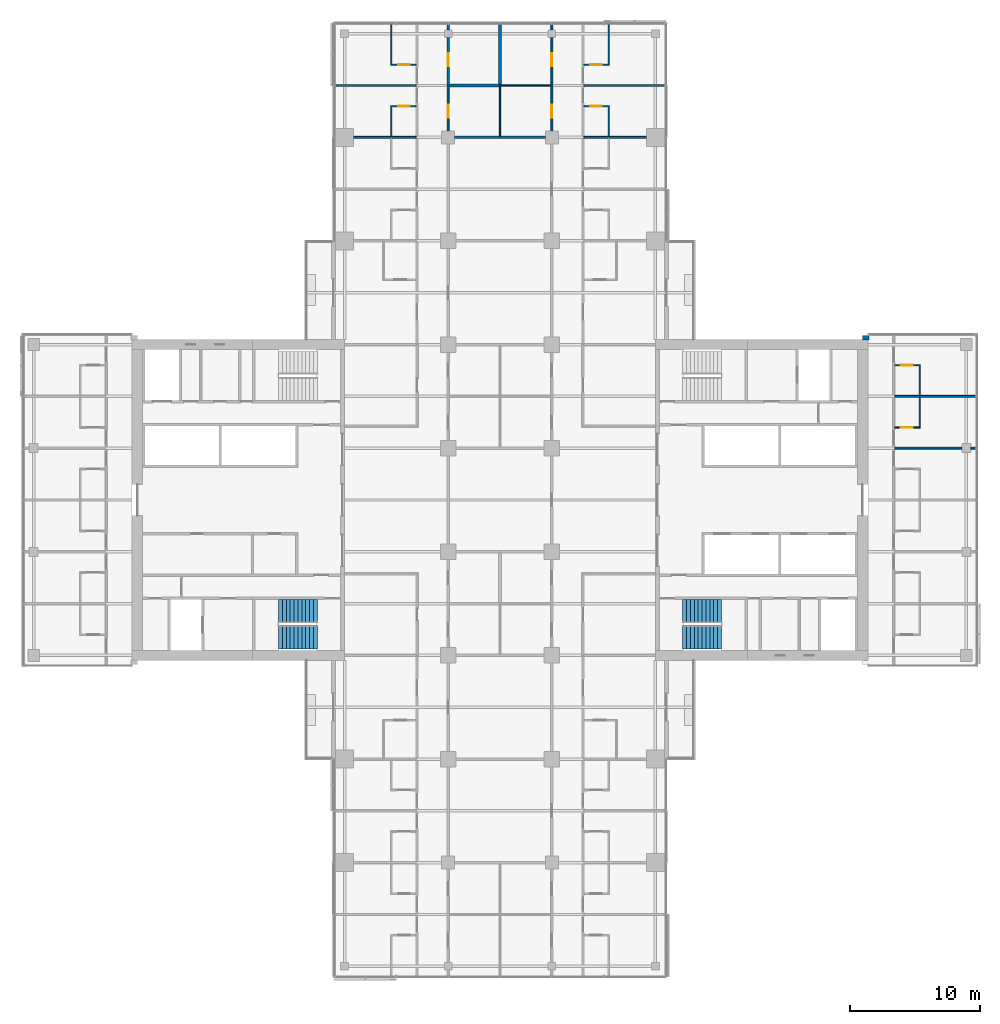
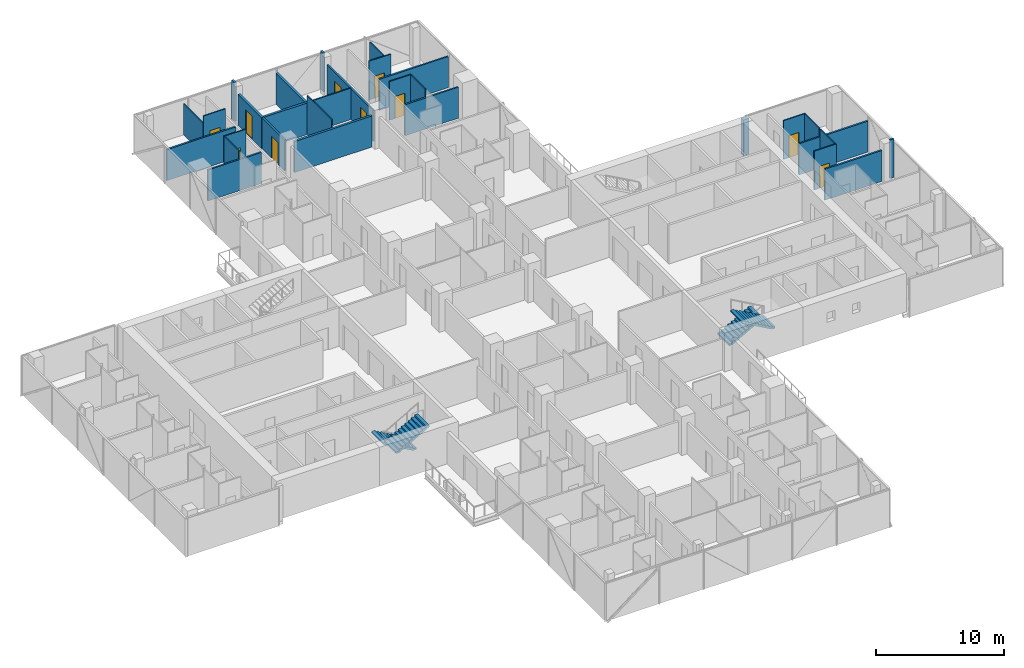
# One storey, part 23 of 29: 30 walls, 10 doors, 4 stair flights, 10 openings, 2 elements without a shape of their own.
"""IFC4 building model written with IfcOpenShell, lengths in metres."""

from ifc_helpers import new_model, si_unit, direction, frame, frame_2d, origin, place, context, subcontext, project, spatial, polyline, rectangle, outline, extrude, material, layer, layer_set, type_object, element, fill, aggregate, save


model = new_model("IFC4")

# Units and contexts
model_context = context("Model", 3, precision=1e-05, world=origin(), true_north=direction((0.0, 1.0)))
body_context = subcontext(model_context, "Body", "Model", "MODEL_VIEW")
ifc_project = project(units=[si_unit("LENGTHUNIT", "METRE"), si_unit("AREAUNIT", "SQUARE_METRE"), si_unit("VOLUMEUNIT", "CUBIC_METRE"), si_unit("PLANEANGLEUNIT", "RADIAN"), si_unit("MASSUNIT", "GRAM", prefix="KILO")], contexts=[model_context])

# Site, building, storey
site_placement = place(None, origin())
site = spatial("IfcSite", under=ifc_project, at=site_placement, CompositionType="ELEMENT")
building_placement = place(site_placement, origin())
building = spatial("IfcBuilding", under=site, at=building_placement, Name="Crosswind Convention Tower", CompositionType="ELEMENT")
storey_placement = place(building_placement, frame((0.0, 0.0, 53.5)))
storey = spatial("IfcBuildingStorey", under=building, at=storey_placement, Name="L07", CompositionType="ELEMENT", Elevation=53.5)

# Wall
ifc_material_1 = material(Name="Concrete blockwork", Category="masonry")
ifc_layer_1 = layer(ifc_material_1, 0.199951171875)
ifc_layer_set_1 = layer_set([ifc_layer_1], Name="COMPARTMENT WALL 200")
wall_type_1 = type_object("IfcWallType", Name="COMPARTMENT WALL 200", PredefinedType="SOLIDWALL", material=ifc_layer_set_1)
wall_1_placement = place(storey_placement, frame((121.074951171875, 132.0, 0.0), z_axis=(0.0, 0.0, 1.0), x_axis=(1.0, 0.0, 0.0)))
element("IfcWall", 1, at=wall_1_placement, inside=storey, type_object=wall_type_1, Name="Compartment Wall 81", PredefinedType="SOLIDWALL", context=body_context, shape_type="SweptSolid", body=[
    extrude(rectangle(XDim=3.925048828125, YDim=0.199951171875, at=frame_2d((1.96240234375, 0.0))), origin(), (0.0, 0.0, 1.0), 3.013671875),
])

# Wall, opening, door
wall_2_placement = place(storey_placement, frame((121.0, 132.0, 0.0), z_axis=(0.0, 0.0, 1.0), x_axis=(0.0, 1.0, 0.0)))
wall_2 = element("IfcWall", 2, at=wall_2_placement, inside=storey, type_object=wall_type_1, Name="Compartment Wall 118", PredefinedType="SOLIDWALL", context=body_context, shape_type="SweptSolid", body=[
    extrude(rectangle(XDim=3.699951171875, YDim=0.199951171875, at=frame_2d((1.85009765625, 0.0))), origin(), (0.0, 0.0, 1.0), 2.959716796875),
])
opening_1_placement = place(wall_2_placement, frame((1.5, 0.0, 0.0)))
opening_1 = element("IfcOpeningElement", 3, at=opening_1_placement, cuts=wall_2, Name="Opening 07.087", PredefinedType="OPENING", context=body_context, shape_type="SweptSolid", body=[
    extrude(rectangle(XDim=1.0, YDim=2.199951171875, at=frame_2d((0.5, 1.10009765625))), frame((0.0, 0.10986328125, 0.0), z_axis=(0.0, -1.0, 0.0), x_axis=(1.0, 0.0, 0.0)), (0.0, 0.0, 1.0), 0.219970703125),
])
ifc_material_2 = material(Name="Steel fire door", Category="steel")
door_type_1 = type_object("IfcDoorType", Name="PLANT ROOM DOOR 1000X2200", OperationType="NOTDEFINED", PredefinedType="DOOR", material=ifc_material_2)
door_1_placement = place(opening_1_placement, frame((1.0, 0.0, 0.0), z_axis=(0.0, 0.0, 1.0), x_axis=(-1.0, 0.0, 0.0)))
door_1 = element("IfcDoor", 4, at=door_1_placement, inside=storey, type_object=door_type_1, Name="Door 07.087", ObjectType="D6", OperationType="SINGLE_SWING_LEFT", OverallHeight=2.199951171875, OverallWidth=1.0, PredefinedType="DOOR", context=body_context, shape_type="SweptSolid", body=[
    extrude(rectangle(XDim=1.0, YDim=2.199951171875, at=frame_2d((0.5, 1.10009765625))), frame((0.0, 0.02490234375, 0.0), z_axis=(0.0, -1.0, 0.0), x_axis=(1.0, 0.0, 0.0)), (0.0, 0.0, 1.0), 0.050048828125),
])
fill(opening_1, door_1)

# Walls
wall_3_placement = place(storey_placement, frame((121.0, 136.300048828125, 0.0), z_axis=(0.0, 0.0, 1.0), x_axis=(0.0, 1.0, 0.0)))
element("IfcWall", 5, at=wall_3_placement, inside=storey, type_object=wall_type_1, Name="Compartment Wall 119", PredefinedType="SOLIDWALL", context=body_context, shape_type="SweptSolid", body=[
    extrude(rectangle(XDim=0.39990234375, YDim=0.199951171875, at=frame_2d((0.199951171875, 0.0))), origin(), (0.0, 0.0, 1.0), 3.699951171875),
])
wall_4_placement = place(storey_placement, frame((125.0, 132.050048828125, 0.0), z_axis=(0.0, 0.0, 1.0), x_axis=(0.0, 1.0, 0.0)))
element("IfcWall", 6, at=wall_4_placement, inside=storey, type_object=wall_type_1, Name="Compartment Wall 127", PredefinedType="SOLIDWALL", context=body_context, shape_type="SweptSolid", body=[
    extrude(rectangle(XDim=4.64990234375, YDim=0.199951171875, at=frame_2d((2.324951171875, 0.0))), origin(), (0.0, 0.0, 1.0), 2.962890625),
])

# Wall, opening, door
ifc_material_3 = material(Name="Plasterboard partition", Category="gypsum")
ifc_layer_2 = layer(ifc_material_3, 0.14990234375)
ifc_layer_set_2 = layer_set([ifc_layer_2], Name="CORRIDOR WALL 150")
wall_type_2 = type_object("IfcWallType", Name="CORRIDOR WALL 150", PredefinedType="PARTITIONING", material=ifc_layer_set_2)
wall_5_placement = place(storey_placement, frame((121.0, 128.5, 0.0), z_axis=(0.0, 0.0, 1.0), x_axis=(0.0, 1.0, 0.0)))
wall_5 = element("IfcWall", 7, at=wall_5_placement, inside=storey, type_object=wall_type_2, Name="Corridor Wall 117", PredefinedType="PARTITIONING", context=body_context, shape_type="SweptSolid", body=[
    extrude(rectangle(XDim=3.5, YDim=0.14990234375, at=frame_2d((1.75, 0.0))), origin(), (0.0, 0.0, 1.0), 2.959716796875),
])
opening_2_placement = place(wall_5_placement, frame((1.0, 0.0, 0.0)))
opening_2 = element("IfcOpeningElement", 8, at=opening_2_placement, cuts=wall_5, Name="Opening 07.086", PredefinedType="OPENING", context=body_context, shape_type="SweptSolid", body=[
    extrude(rectangle(XDim=1.0, YDim=2.10009765625, at=frame_2d((0.5, 1.050048828125))), frame((0.0, 0.0849609375, 0.0), z_axis=(0.0, -1.0, 0.0), x_axis=(1.0, 0.0, 0.0)), (0.0, 0.0, 1.0), 0.169921875),
])
ifc_material_4 = material(Name="Timber fire door", Category="wood")
door_type_2 = type_object("IfcDoorType", Name="SERVICE ROOM DOOR 1000X2100", OperationType="NOTDEFINED", PredefinedType="DOOR", material=ifc_material_4)
door_2_placement = place(opening_2_placement, frame((1.0, 0.0, 0.0), z_axis=(0.0, 0.0, 1.0), x_axis=(-1.0, 0.0, 0.0)))
door_2 = element("IfcDoor", 9, at=door_2_placement, inside=storey, type_object=door_type_2, Name="Door 07.086", ObjectType="D3", OperationType="SINGLE_SWING_RIGHT", OverallHeight=2.10009765625, OverallWidth=1.0, PredefinedType="DOOR", context=body_context, shape_type="SweptSolid", body=[
    extrude(rectangle(XDim=1.0, YDim=2.10009765625, at=frame_2d((0.5, 1.050048828125))), frame((0.0, 0.02490234375, 0.0), z_axis=(0.0, -1.0, 0.0), x_axis=(1.0, 0.0, 0.0)), (0.0, 0.0, 1.0), 0.050048828125),
])
fill(opening_2, door_2)

# Wall, openings, doors
wall_6_placement = place(storey_placement, frame((129.0, 128.5, 0.0), z_axis=(0.0, 0.0, 1.0), x_axis=(0.0, 1.0, 0.0)))
wall_6 = element("IfcWall", 10, at=wall_6_placement, inside=storey, type_object=wall_type_2, Name="Corridor Wall 137", PredefinedType="PARTITIONING", context=body_context, shape_type="SweptSolid", body=[
    extrude(rectangle(XDim=7.199951171875, YDim=0.14990234375, at=frame_2d((3.60009765625, 0.0))), origin(), (0.0, 0.0, 1.0), 2.959716796875),
])
opening_3_placement = place(wall_6_placement, frame((1.0, 0.0, 0.0)))
opening_3 = element("IfcOpeningElement", 11, at=opening_3_placement, cuts=wall_6, Name="Opening 07.088", PredefinedType="OPENING", context=body_context, shape_type="SweptSolid", body=[
    extrude(rectangle(XDim=1.0, YDim=2.10009765625, at=frame_2d((0.5, 1.050048828125))), frame((0.0, 0.0849609375, 0.0), z_axis=(0.0, -1.0, 0.0), x_axis=(1.0, 0.0, 0.0)), (0.0, 0.0, 1.0), 0.169921875),
])
opening_4_placement = place(wall_6_placement, frame((5.0, 0.0, 0.0)))
opening_4 = element("IfcOpeningElement", 12, at=opening_4_placement, cuts=wall_6, Name="Opening 07.089", PredefinedType="OPENING", context=body_context, shape_type="SweptSolid", body=[
    extrude(rectangle(XDim=1.0, YDim=2.10009765625, at=frame_2d((0.5, 1.050048828125))), frame((0.0, 0.0849609375, 0.0), z_axis=(0.0, -1.0, 0.0), x_axis=(1.0, 0.0, 0.0)), (0.0, 0.0, 1.0), 0.169921875),
])
door_3_placement = place(opening_3_placement, origin())
door_3 = element("IfcDoor", 13, at=door_3_placement, inside=storey, type_object=door_type_2, Name="Door 07.088", ObjectType="D3", OperationType="SINGLE_SWING_LEFT", OverallHeight=2.10009765625, OverallWidth=1.0, PredefinedType="DOOR", context=body_context, shape_type="SweptSolid", body=[
    extrude(rectangle(XDim=1.0, YDim=2.10009765625, at=frame_2d((0.5, 1.050048828125))), frame((0.0, 0.02490234375, 0.0), z_axis=(0.0, -1.0, 0.0), x_axis=(1.0, 0.0, 0.0)), (0.0, 0.0, 1.0), 0.050048828125),
])
fill(opening_3, door_3)
door_4_placement = place(opening_4_placement, origin())
door_4 = element("IfcDoor", 14, at=door_4_placement, inside=storey, type_object=door_type_2, Name="Door 07.089", ObjectType="D3", OperationType="SINGLE_SWING_RIGHT", OverallHeight=2.10009765625, OverallWidth=1.0, PredefinedType="DOOR", context=body_context, shape_type="SweptSolid", body=[
    extrude(rectangle(XDim=1.0, YDim=2.10009765625, at=frame_2d((0.5, 1.050048828125))), frame((0.0, 0.02490234375, 0.0), z_axis=(0.0, -1.0, 0.0), x_axis=(1.0, 0.0, 0.0)), (0.0, 0.0, 1.0), 0.050048828125),
])
fill(opening_4, door_4)

# Walls
wall_7_placement = place(storey_placement, frame((129.0, 136.300048828125, 0.0), z_axis=(0.0, 0.0, 1.0), x_axis=(0.0, 1.0, 0.0)))
element("IfcWall", 15, at=wall_7_placement, inside=storey, type_object=wall_type_2, Name="Corridor Wall 138", PredefinedType="PARTITIONING", context=body_context, shape_type="SweptSolid", body=[
    extrude(rectangle(XDim=0.39990234375, YDim=0.14990234375, at=frame_2d((0.199951171875, 0.0))), origin(), (0.0, 0.0, 1.0), 3.699951171875),
])
ifc_material_5 = material(Name="Acoustic plasterboard partition", Category="gypsum")
ifc_layer_3 = layer(ifc_material_5, 0.14990234375)
ifc_layer_set_3 = layer_set([ifc_layer_3], Name="GUEST ROOM WALL 150")
wall_type_3 = type_object("IfcWallType", Name="GUEST ROOM WALL 150", PredefinedType="PARTITIONING", material=ifc_layer_set_3)
wall_8_placement = place(storey_placement, frame((155.47509765625, 104.0, 0.0), z_axis=(0.0, 0.0, 1.0), x_axis=(1.0, 0.0, 0.0)))
element("IfcWall", 16, at=wall_8_placement, inside=storey, type_object=wall_type_3, Name="Guest Room Wall 50", PredefinedType="PARTITIONING", context=body_context, shape_type="SweptSolid", body=[
    extrude(rectangle(XDim=5.1748046875, YDim=0.14990234375, at=frame_2d((2.58740234375, 0.0))), origin(), (0.0, 0.0, 1.0), 2.956298828125),
])
wall_9_placement = place(storey_placement, frame((161.35009765625, 104.0, 0.0), z_axis=(0.0, 0.0, 1.0), x_axis=(1.0, 0.0, 0.0)))
element("IfcWall", 17, at=wall_9_placement, inside=storey, type_object=wall_type_3, Name="Guest Room Wall 51", PredefinedType="PARTITIONING", context=body_context, shape_type="SweptSolid", body=[
    extrude(rectangle(XDim=0.349853515625, YDim=0.14990234375, at=frame_2d((0.1748046875, 0.0))), origin(), (0.0, 0.0, 1.0), 3.699951171875),
])
wall_10_placement = place(storey_placement, frame((155.47509765625, 108.0, 0.0), z_axis=(0.0, 0.0, 1.0), x_axis=(1.0, 0.0, 0.0)))
element("IfcWall", 18, at=wall_10_placement, inside=storey, type_object=wall_type_3, Name="Guest Room Wall 58", PredefinedType="PARTITIONING", context=body_context, shape_type="SweptSolid", body=[
    extrude(rectangle(XDim=6.224853515625, YDim=0.14990234375, at=frame_2d((3.1123046875, 0.0))), origin(), (0.0, 0.0, 1.0), 2.962890625),
])
for number, where, z_axis, x_axis, name in (
    (19, (113.699951171875, 128.0, 0.0), (0.0, 0.0, 1.0), (1.0, 0.0, 0.0), "Guest Room Wall 75"),
    (20, (131.47509765625, 128.0, 0.0), (0.0, 0.0, 1.0), (1.0, 0.0, 0.0), "Guest Room Wall 77"),
):
    element("IfcWall", number, at=place(storey_placement, frame(where, z_axis=z_axis, x_axis=x_axis)), inside=storey, type_object=wall_type_3, Name=name, PredefinedType="PARTITIONING", context=body_context, shape_type="SweptSolid", body=[
        extrude(rectangle(XDim=4.824951171875, YDim=0.14990234375, at=frame_2d((2.41259765625, 0.0))), origin(), (0.0, 0.0, 1.0), 2.959716796875),
    ])
for number, where, z_axis, x_axis, name in (
    (21, (112.300048828125, 132.0, 0.0), (0.0, 0.0, 1.0), (1.0, 0.0, 0.0), "Guest Room Wall 80"),
    (22, (131.47509765625, 132.0, 0.0), (0.0, 0.0, 1.0), (1.0, 0.0, 0.0), "Guest Room Wall 83"),
):
    element("IfcWall", number, at=place(storey_placement, frame(where, z_axis=z_axis, x_axis=x_axis)), inside=storey, type_object=wall_type_3, Name=name, PredefinedType="PARTITIONING", context=body_context, shape_type="SweptSolid", body=[
        extrude(rectangle(XDim=6.224853515625, YDim=0.14990234375, at=frame_2d((3.1123046875, 0.0))), origin(), (0.0, 0.0, 1.0), 2.962890625),
    ])
ifc_material_6 = material(Name="Double plasterboard partition", Category="gypsum")
ifc_layer_4 = layer(ifc_material_6, 0.199951171875)
ifc_layer_set_4 = layer_set([ifc_layer_4], Name="HALL WALL 200")
wall_type_4 = type_object("IfcWallType", Name="HALL WALL 200", PredefinedType="PARTITIONING", material=ifc_layer_set_4)
wall_11_placement = place(storey_placement, frame((121.5, 128.0, 0.0), z_axis=(0.0, 0.0, 1.0), x_axis=(1.0, 0.0, 0.0)))
element("IfcWall", 23, at=wall_11_placement, inside=storey, type_object=wall_type_4, Name="Hall Wall 76", PredefinedType="PARTITIONING", context=body_context, shape_type="SweptSolid", body=[
    extrude(rectangle(XDim=7.0, YDim=0.199951171875, at=frame_2d((3.5, 0.0))), origin(), (0.0, 0.0, 1.0), 2.959716796875),
])
ifc_layer_5 = layer(ifc_material_3, 0.10009765625)
ifc_layer_set_5 = layer_set([ifc_layer_5], Name="PARTITION 100")
wall_type_5 = type_object("IfcWallType", Name="PARTITION 100", PredefinedType="PARTITIONING", material=ifc_layer_set_5)
wall_12_placement = place(storey_placement, frame((125.0, 132.0, 0.0), z_axis=(0.0, 0.0, 1.0), x_axis=(1.0, 0.0, 0.0)))
element("IfcWall", 24, at=wall_12_placement, inside=storey, type_object=wall_type_5, Name="Partition 82", PredefinedType="PARTITIONING", context=body_context, shape_type="SweptSolid", body=[
    extrude(rectangle(XDim=3.925048828125, YDim=0.10009765625, at=frame_2d((1.96240234375, 0.0))), origin(), (0.0, 0.0, 1.0), 3.013671875),
])
wall_13_placement = place(storey_placement, frame((125.0, 128.10009765625, 0.0), z_axis=(0.0, 0.0, 1.0), x_axis=(0.0, 1.0, 0.0)))
element("IfcWall", 25, at=wall_13_placement, inside=storey, type_object=wall_type_5, Name="Partition 126", PredefinedType="PARTITIONING", context=body_context, shape_type="SweptSolid", body=[
    extrude(rectangle(XDim=3.849853515625, YDim=0.10009765625, at=frame_2d((1.9248046875, 0.0))), origin(), (0.0, 0.0, 1.0), 3.699951171875),
])
ifc_material_7 = material(Name="Terracotta rainscreen", Category="ceramic")
ifc_layer_6 = layer(ifc_material_7, 0.02001953125)
ifc_material_8 = material(Name="Mineral wool insulation", Category="insulation")
ifc_layer_7 = layer(ifc_material_8, 0.10009765625)
ifc_layer_8 = layer(ifc_material_1, 0.236083984375)
ifc_layer_set_6 = layer_set([ifc_layer_6, ifc_layer_7, ifc_layer_8], Name="TERRACOTTA CORNER INFILL WALL 356")
wall_type_6 = type_object("IfcWallType", Name="TERRACOTTA CORNER INFILL WALL 356", PredefinedType="SOLIDWALL", material=ifc_layer_set_6)
wall_14_placement = place(storey_placement, frame((153.0, 112.52197265625, 0.0), z_axis=(0.0, 0.0, 1.0), x_axis=(1.0, 0.0, 0.0)))
element("IfcWall", 26, at=wall_14_placement, inside=storey, type_object=wall_type_6, Name="Core corner infill wall L07 1", PredefinedType="SOLIDWALL", context=body_context, shape_type="SweptSolid", body=[
    extrude(rectangle(XDim=0.5048828125, YDim=0.35595703125, at=frame_2d((0.25244140625, 0.0))), origin(), (0.0, 0.0, 1.0), 3.419921875),
])

# Wall, opening, door
ifc_material_9 = material(Name="Water-resistant plasterboard partition", Category="gypsum")
ifc_layer_9 = layer(ifc_material_9, 0.10009765625)
ifc_layer_set_7 = layer_set([ifc_layer_9], Name="WET ROOM PARTITION 100")
wall_type_7 = type_object("IfcWallType", Name="WET ROOM PARTITION 100", PredefinedType="PLUMBINGWALL", material=ifc_layer_set_7)
wall_15_placement = place(storey_placement, frame((155.47509765625, 105.60009765625, 0.0), z_axis=(0.0, 0.0, 1.0), x_axis=(1.0, 0.0, 0.0)))
wall_15 = element("IfcWall", 27, at=wall_15_placement, inside=storey, type_object=wall_type_7, Name="Wet Room Partition 53", PredefinedType="PLUMBINGWALL", context=body_context, shape_type="SweptSolid", body=[
    extrude(rectangle(XDim=1.974853515625, YDim=0.10009765625, at=frame_2d((0.9873046875, 0.0))), origin(), (0.0, 0.0, 1.0), 3.699951171875),
])
opening_5_placement = place(wall_15_placement, frame((0.47509765625, 0.0, 0.0)))
opening_5 = element("IfcOpeningElement", 28, at=opening_5_placement, cuts=wall_15, Name="Opening 07.054", PredefinedType="OPENING", context=body_context, shape_type="SweptSolid", body=[
    extrude(rectangle(XDim=0.89990234375, YDim=2.10009765625, at=frame_2d((0.449951171875, 1.050048828125))), frame((0.0, 0.06005859375, 0.0), z_axis=(0.0, -1.0, 0.0), x_axis=(1.0, 0.0, 0.0)), (0.0, 0.0, 1.0), 0.1201171875),
])
ifc_material_10 = material(Name="Timber door", Category="wood")
door_type_3 = type_object("IfcDoorType", Name="EN-SUITE DOOR 900X2100", OperationType="NOTDEFINED", PredefinedType="DOOR", material=ifc_material_10)
door_5_placement = place(opening_5_placement, origin())
door_5 = element("IfcDoor", 29, at=door_5_placement, inside=storey, type_object=door_type_3, Name="Door 07.054", ObjectType="D2", OperationType="SINGLE_SWING_RIGHT", OverallHeight=2.10009765625, OverallWidth=0.89990234375, PredefinedType="DOOR", context=body_context, shape_type="SweptSolid", body=[
    extrude(rectangle(XDim=0.89990234375, YDim=2.10009765625, at=frame_2d((0.449951171875, 1.050048828125))), frame((0.0, 0.02490234375, 0.0), z_axis=(0.0, -1.0, 0.0), x_axis=(1.0, 0.0, 0.0)), (0.0, 0.0, 1.0), 0.050048828125),
])
fill(opening_5, door_5)

wall_16_placement = place(storey_placement, frame((155.47509765625, 110.39990234375, 0.0), z_axis=(0.0, 0.0, 1.0), x_axis=(1.0, 0.0, 0.0)))
wall_16 = element("IfcWall", 30, at=wall_16_placement, inside=storey, type_object=wall_type_7, Name="Wet Room Partition 60", PredefinedType="PLUMBINGWALL", context=body_context, shape_type="SweptSolid", body=[
    extrude(rectangle(XDim=1.974853515625, YDim=0.10009765625, at=frame_2d((0.9873046875, 0.0))), origin(), (0.0, 0.0, 1.0), 3.699951171875),
])
opening_6_placement = place(wall_16_placement, frame((0.47509765625, 0.0, 0.0)))
opening_6 = element("IfcOpeningElement", 31, at=opening_6_placement, cuts=wall_16, Name="Opening 07.056", PredefinedType="OPENING", context=body_context, shape_type="SweptSolid", body=[
    extrude(rectangle(XDim=0.89990234375, YDim=2.10009765625, at=frame_2d((0.449951171875, 1.050048828125))), frame((0.0, 0.06005859375, 0.0), z_axis=(0.0, -1.0, 0.0), x_axis=(1.0, 0.0, 0.0)), (0.0, 0.0, 1.0), 0.1201171875),
])
door_6_placement = place(opening_6_placement, frame((0.89990234375, 0.0, 0.0), z_axis=(0.0, 0.0, 1.0), x_axis=(-1.0, 0.0, 0.0)))
door_6 = element("IfcDoor", 32, at=door_6_placement, inside=storey, type_object=door_type_3, Name="Door 07.056", ObjectType="D2", OperationType="SINGLE_SWING_LEFT", OverallHeight=2.10009765625, OverallWidth=0.89990234375, PredefinedType="DOOR", context=body_context, shape_type="SweptSolid", body=[
    extrude(rectangle(XDim=0.89990234375, YDim=2.10009765625, at=frame_2d((0.449951171875, 1.050048828125))), frame((0.0, 0.02490234375, 0.0), z_axis=(0.0, -1.0, 0.0), x_axis=(1.0, 0.0, 0.0)), (0.0, 0.0, 1.0), 0.050048828125),
])
fill(opening_6, door_6)

wall_17_placement = place(storey_placement, frame((116.550048828125, 130.39990234375, 0.0), z_axis=(0.0, 0.0, 1.0), x_axis=(1.0, 0.0, 0.0)))
wall_17 = element("IfcWall", 33, at=wall_17_placement, inside=storey, type_object=wall_type_7, Name="Wet Room Partition 78", PredefinedType="PLUMBINGWALL", context=body_context, shape_type="SweptSolid", body=[
    extrude(rectangle(XDim=1.974853515625, YDim=0.10009765625, at=frame_2d((0.9873046875, 0.0))), origin(), (0.0, 0.0, 1.0), 3.699951171875),
])
opening_7_placement = place(wall_17_placement, frame((0.60009765625, 0.0, 0.0)))
opening_7 = element("IfcOpeningElement", 34, at=opening_7_placement, cuts=wall_17, Name="Opening 07.022", PredefinedType="OPENING", context=body_context, shape_type="SweptSolid", body=[
    extrude(rectangle(XDim=0.89990234375, YDim=2.10009765625, at=frame_2d((0.449951171875, 1.050048828125))), frame((0.0, 0.06005859375, 0.0), z_axis=(0.0, -1.0, 0.0), x_axis=(1.0, 0.0, 0.0)), (0.0, 0.0, 1.0), 0.1201171875),
])
door_7_placement = place(opening_7_placement, frame((0.89990234375, 0.0, 0.0), z_axis=(0.0, 0.0, 1.0), x_axis=(-1.0, 0.0, 0.0)))
door_7 = element("IfcDoor", 35, at=door_7_placement, inside=storey, type_object=door_type_3, Name="Door 07.022", ObjectType="D2", OperationType="SINGLE_SWING_LEFT", OverallHeight=2.10009765625, OverallWidth=0.89990234375, PredefinedType="DOOR", context=body_context, shape_type="SweptSolid", body=[
    extrude(rectangle(XDim=0.89990234375, YDim=2.10009765625, at=frame_2d((0.449951171875, 1.050048828125))), frame((0.0, 0.02490234375, 0.0), z_axis=(0.0, -1.0, 0.0), x_axis=(1.0, 0.0, 0.0)), (0.0, 0.0, 1.0), 0.050048828125),
])
fill(opening_7, door_7)

wall_18_placement = place(storey_placement, frame((131.47509765625, 130.39990234375, 0.0), z_axis=(0.0, 0.0, 1.0), x_axis=(1.0, 0.0, 0.0)))
wall_18 = element("IfcWall", 36, at=wall_18_placement, inside=storey, type_object=wall_type_7, Name="Wet Room Partition 79", PredefinedType="PLUMBINGWALL", context=body_context, shape_type="SweptSolid", body=[
    extrude(rectangle(XDim=1.974853515625, YDim=0.10009765625, at=frame_2d((0.9873046875, 0.0))), origin(), (0.0, 0.0, 1.0), 3.699951171875),
])
opening_8_placement = place(wall_18_placement, frame((0.47509765625, 0.0, 0.0)))
opening_8 = element("IfcOpeningElement", 37, at=opening_8_placement, cuts=wall_18, Name="Opening 07.012", PredefinedType="OPENING", context=body_context, shape_type="SweptSolid", body=[
    extrude(rectangle(XDim=0.89990234375, YDim=2.10009765625, at=frame_2d((0.449951171875, 1.050048828125))), frame((0.0, 0.06005859375, 0.0), z_axis=(0.0, -1.0, 0.0), x_axis=(1.0, 0.0, 0.0)), (0.0, 0.0, 1.0), 0.1201171875),
])
door_8_placement = place(opening_8_placement, frame((0.89990234375, 0.0, 0.0), z_axis=(0.0, 0.0, 1.0), x_axis=(-1.0, 0.0, 0.0)))
door_8 = element("IfcDoor", 38, at=door_8_placement, inside=storey, type_object=door_type_3, Name="Door 07.012", ObjectType="D2", OperationType="SINGLE_SWING_LEFT", OverallHeight=2.10009765625, OverallWidth=0.89990234375, PredefinedType="DOOR", context=body_context, shape_type="SweptSolid", body=[
    extrude(rectangle(XDim=0.89990234375, YDim=2.10009765625, at=frame_2d((0.449951171875, 1.050048828125))), frame((0.0, 0.02490234375, 0.0), z_axis=(0.0, -1.0, 0.0), x_axis=(1.0, 0.0, 0.0)), (0.0, 0.0, 1.0), 0.050048828125),
])
fill(opening_8, door_8)

wall_19_placement = place(storey_placement, frame((116.550048828125, 133.60009765625, 0.0), z_axis=(0.0, 0.0, 1.0), x_axis=(1.0, 0.0, 0.0)))
wall_19 = element("IfcWall", 39, at=wall_19_placement, inside=storey, type_object=wall_type_7, Name="Wet Room Partition 84", PredefinedType="PLUMBINGWALL", context=body_context, shape_type="SweptSolid", body=[
    extrude(rectangle(XDim=1.974853515625, YDim=0.10009765625, at=frame_2d((0.9873046875, 0.0))), origin(), (0.0, 0.0, 1.0), 3.699951171875),
])
opening_9_placement = place(wall_19_placement, frame((0.60009765625, 0.0, 0.0)))
opening_9 = element("IfcOpeningElement", 40, at=opening_9_placement, cuts=wall_19, Name="Opening 07.024", PredefinedType="OPENING", context=body_context, shape_type="SweptSolid", body=[
    extrude(rectangle(XDim=0.89990234375, YDim=2.10009765625, at=frame_2d((0.449951171875, 1.050048828125))), frame((0.0, 0.06005859375, 0.0), z_axis=(0.0, -1.0, 0.0), x_axis=(1.0, 0.0, 0.0)), (0.0, 0.0, 1.0), 0.1201171875),
])
door_9_placement = place(opening_9_placement, origin())
door_9 = element("IfcDoor", 41, at=door_9_placement, inside=storey, type_object=door_type_3, Name="Door 07.024", ObjectType="D2", OperationType="SINGLE_SWING_RIGHT", OverallHeight=2.10009765625, OverallWidth=0.89990234375, PredefinedType="DOOR", context=body_context, shape_type="SweptSolid", body=[
    extrude(rectangle(XDim=0.89990234375, YDim=2.10009765625, at=frame_2d((0.449951171875, 1.050048828125))), frame((0.0, 0.02490234375, 0.0), z_axis=(0.0, -1.0, 0.0), x_axis=(1.0, 0.0, 0.0)), (0.0, 0.0, 1.0), 0.050048828125),
])
fill(opening_9, door_9)

wall_20_placement = place(storey_placement, frame((131.47509765625, 133.60009765625, 0.0), z_axis=(0.0, 0.0, 1.0), x_axis=(1.0, 0.0, 0.0)))
wall_20 = element("IfcWall", 42, at=wall_20_placement, inside=storey, type_object=wall_type_7, Name="Wet Room Partition 85", PredefinedType="PLUMBINGWALL", context=body_context, shape_type="SweptSolid", body=[
    extrude(rectangle(XDim=1.974853515625, YDim=0.10009765625, at=frame_2d((0.9873046875, 0.0))), origin(), (0.0, 0.0, 1.0), 3.699951171875),
])
opening_10_placement = place(wall_20_placement, frame((0.47509765625, 0.0, 0.0)))
opening_10 = element("IfcOpeningElement", 43, at=opening_10_placement, cuts=wall_20, Name="Opening 07.014", PredefinedType="OPENING", context=body_context, shape_type="SweptSolid", body=[
    extrude(rectangle(XDim=0.89990234375, YDim=2.10009765625, at=frame_2d((0.449951171875, 1.050048828125))), frame((0.0, 0.06005859375, 0.0), z_axis=(0.0, -1.0, 0.0), x_axis=(1.0, 0.0, 0.0)), (0.0, 0.0, 1.0), 0.1201171875),
])
door_10_placement = place(opening_10_placement, origin())
door_10 = element("IfcDoor", 44, at=door_10_placement, inside=storey, type_object=door_type_3, Name="Door 07.014", ObjectType="D2", OperationType="SINGLE_SWING_RIGHT", OverallHeight=2.10009765625, OverallWidth=0.89990234375, PredefinedType="DOOR", context=body_context, shape_type="SweptSolid", body=[
    extrude(rectangle(XDim=0.89990234375, YDim=2.10009765625, at=frame_2d((0.449951171875, 1.050048828125))), frame((0.0, 0.02490234375, 0.0), z_axis=(0.0, -1.0, 0.0), x_axis=(1.0, 0.0, 0.0)), (0.0, 0.0, 1.0), 0.050048828125),
])
fill(opening_10, door_10)

# Walls
wall_21_placement = place(storey_placement, frame((116.60009765625, 128.074951171875, 0.0), z_axis=(0.0, 0.0, 1.0), x_axis=(0.0, 1.0, 0.0)))
element("IfcWall", 45, at=wall_21_placement, inside=storey, type_object=wall_type_7, Name="Wet Room Partition 101", PredefinedType="PLUMBINGWALL", context=body_context, shape_type="SweptSolid", body=[
    extrude(rectangle(XDim=2.275146484375, YDim=0.10009765625, at=frame_2d((1.1376953125, 0.0))), origin(), (0.0, 0.0, 1.0), 3.699951171875),
])
wall_22_placement = place(storey_placement, frame((116.60009765625, 133.64990234375, 0.0), z_axis=(0.0, 0.0, 1.0), x_axis=(0.0, 1.0, 0.0)))
element("IfcWall", 46, at=wall_22_placement, inside=storey, type_object=wall_type_7, Name="Wet Room Partition 102", PredefinedType="PLUMBINGWALL", context=body_context, shape_type="SweptSolid", body=[
    extrude(rectangle(XDim=3.050048828125, YDim=0.10009765625, at=frame_2d((1.52490234375, 0.0))), origin(), (0.0, 0.0, 1.0), 2.962890625),
])
wall_23_placement = place(storey_placement, frame((133.39990234375, 128.074951171875, 0.0), z_axis=(0.0, 0.0, 1.0), x_axis=(0.0, 1.0, 0.0)))
element("IfcWall", 47, at=wall_23_placement, inside=storey, type_object=wall_type_7, Name="Wet Room Partition 149", PredefinedType="PLUMBINGWALL", context=body_context, shape_type="SweptSolid", body=[
    extrude(rectangle(XDim=2.275146484375, YDim=0.10009765625, at=frame_2d((1.1376953125, 0.0))), origin(), (0.0, 0.0, 1.0), 3.699951171875),
])
wall_24_placement = place(storey_placement, frame((133.39990234375, 133.64990234375, 0.0), z_axis=(0.0, 0.0, 1.0), x_axis=(0.0, 1.0, 0.0)))
element("IfcWall", 48, at=wall_24_placement, inside=storey, type_object=wall_type_7, Name="Wet Room Partition 150", PredefinedType="PLUMBINGWALL", context=body_context, shape_type="SweptSolid", body=[
    extrude(rectangle(XDim=3.050048828125, YDim=0.10009765625, at=frame_2d((1.52490234375, 0.0))), origin(), (0.0, 0.0, 1.0), 2.962890625),
])
for number, where, z_axis, x_axis, name in (
    (49, (157.39990234375, 105.64990234375, 0.0), (0.0, 0.0, 1.0), (0.0, 1.0, 0.0), "Wet Room Partition 158"),
    (50, (157.39990234375, 108.074951171875, 0.0), (0.0, 0.0, 1.0), (0.0, 1.0, 0.0), "Wet Room Partition 159"),
):
    element("IfcWall", number, at=place(storey_placement, frame(where, z_axis=z_axis, x_axis=x_axis)), inside=storey, type_object=wall_type_7, Name=name, PredefinedType="PLUMBINGWALL", context=body_context, shape_type="SweptSolid", body=[
        extrude(rectangle(XDim=2.275146484375, YDim=0.10009765625, at=frame_2d((1.1376953125, 0.0))), origin(), (0.0, 0.0, 1.0), 3.699951171875),
    ])

# Stair, stair flights
ifc_material_11 = material(Name="Concrete C40/50", Category="concrete")
stair_type = type_object("IfcStairType", Name="Exit stair 1800 wide, 2 flights of 11 risers", PredefinedType="HALF_TURN_STAIR", material=ifc_material_11)
stair_1_placement = place(storey_placement, origin())
stair_1 = element("IfcStair", 51, at=stair_1_placement, inside=storey, type_object=stair_type, Name="Exit stair ST2 L07", ObjectType="ST5", PredefinedType="HALF_TURN_STAIR")
stair_flight_type = type_object("IfcStairFlightType", Name="Stair flight 1800 wide, 11 risers (SF3)", PredefinedType="STRAIGHT", material=ifc_material_11)
stair_flight_1_placement = place(storey_placement, frame((139.10009765625, 91.39990234375, 0.0), z_axis=(0.0, 0.0, 1.0), x_axis=(1.0, 0.0, 0.0)))
stair_flight_1 = element("IfcStairFlight", 52, at=stair_flight_1_placement, type_object=stair_flight_type, Name="ST2 flight 1", NumberOfRisers=11, NumberOfTreads=10, PredefinedType="STRAIGHT", RiserHeight=0.168181818, TreadLength=0.3, context=body_context, shape_type="SweptSolid", body=[
    extrude(outline(polyline([(0.0, 0.0), (0.0, 0.168212890625), (0.300048828125, 0.168212890625), (0.300048828125, 0.33642578125), (0.60009765625, 0.33642578125), (0.60009765625, 0.504638671875), (0.89990234375, 0.504638671875), (0.89990234375, 0.672607421875), (1.199951171875, 0.672607421875), (1.199951171875, 0.8408203125), (1.5, 0.8408203125), (1.5, 1.009033203125), (1.800048828125, 1.009033203125), (1.800048828125, 1.17724609375), (2.10009765625, 1.17724609375), (2.10009765625, 1.345458984375), (2.39990234375, 1.345458984375), (2.39990234375, 1.513671875), (2.699951171875, 1.513671875), (2.699951171875, 1.681884765625), (3.0, 1.681884765625), (3.0, 1.85009765625), (3.0, 1.510009765625), (0.306640625, 0.0), (0.0, 0.0)])), frame((0.0, 0.89990234375, 0.0), z_axis=(0.0, -1.0, 0.0), x_axis=(1.0, 0.0, 0.0)), (0.0, 0.0, 1.0), 1.800048828125),
])
stair_flight_2_placement = place(storey_placement, frame((142.10009765625, 89.39990234375, 1.85009765625), z_axis=(0.0, 0.0, 1.0), x_axis=(-1.0, 0.0, 0.0)))
stair_flight_2 = element("IfcStairFlight", 53, at=stair_flight_2_placement, type_object=stair_flight_type, Name="ST2 flight 2", NumberOfRisers=11, NumberOfTreads=10, PredefinedType="STRAIGHT", RiserHeight=0.168181818, TreadLength=0.3, context=body_context, shape_type="SweptSolid", body=[
    extrude(outline(polyline([(0.0, 0.0), (0.0, 0.168212890625), (0.300048828125, 0.168212890625), (0.300048828125, 0.33642578125), (0.60009765625, 0.33642578125), (0.60009765625, 0.504638671875), (0.89990234375, 0.504638671875), (0.89990234375, 0.672607421875), (1.199951171875, 0.672607421875), (1.199951171875, 0.8408203125), (1.5, 0.8408203125), (1.5, 1.009033203125), (1.800048828125, 1.009033203125), (1.800048828125, 1.17724609375), (2.10009765625, 1.17724609375), (2.10009765625, 1.345458984375), (2.39990234375, 1.345458984375), (2.39990234375, 1.513671875), (2.699951171875, 1.513671875), (2.699951171875, 1.681884765625), (3.0, 1.681884765625), (3.0, 1.85009765625), (3.0, 1.510009765625), (0.306640625, 0.0), (0.0, 0.0)])), frame((0.0, 0.89990234375, 0.0), z_axis=(0.0, -1.0, 0.0), x_axis=(1.0, 0.0, 0.0)), (0.0, 0.0, 1.0), 1.800048828125),
])
aggregate(stair_1, [stair_flight_1, stair_flight_2])

stair_2_placement = place(storey_placement, origin())
stair_2 = element("IfcStair", 54, at=stair_2_placement, inside=storey, type_object=stair_type, Name="Exit stair ST3 L07", ObjectType="ST5", PredefinedType="HALF_TURN_STAIR")
stair_flight_3_placement = place(storey_placement, frame((110.89990234375, 91.39990234375, 0.0), z_axis=(0.0, 0.0, 1.0), x_axis=(-1.0, 0.0, 0.0)))
stair_flight_3 = element("IfcStairFlight", 55, at=stair_flight_3_placement, type_object=stair_flight_type, Name="ST3 flight 1", NumberOfRisers=11, NumberOfTreads=10, PredefinedType="STRAIGHT", RiserHeight=0.168181818, TreadLength=0.3, context=body_context, shape_type="SweptSolid", body=[
    extrude(outline(polyline([(0.0, 0.0), (0.0, 0.168212890625), (0.300048828125, 0.168212890625), (0.300048828125, 0.33642578125), (0.60009765625, 0.33642578125), (0.60009765625, 0.504638671875), (0.89990234375, 0.504638671875), (0.89990234375, 0.672607421875), (1.199951171875, 0.672607421875), (1.199951171875, 0.8408203125), (1.5, 0.8408203125), (1.5, 1.009033203125), (1.800048828125, 1.009033203125), (1.800048828125, 1.17724609375), (2.10009765625, 1.17724609375), (2.10009765625, 1.345458984375), (2.39990234375, 1.345458984375), (2.39990234375, 1.513671875), (2.699951171875, 1.513671875), (2.699951171875, 1.681884765625), (3.0, 1.681884765625), (3.0, 1.85009765625), (3.0, 1.510009765625), (0.306640625, 0.0), (0.0, 0.0)])), frame((0.0, 0.89990234375, 0.0), z_axis=(0.0, -1.0, 0.0), x_axis=(1.0, 0.0, 0.0)), (0.0, 0.0, 1.0), 1.800048828125),
])
stair_flight_4_placement = place(storey_placement, frame((107.89990234375, 89.39990234375, 1.85009765625), z_axis=(0.0, 0.0, 1.0), x_axis=(1.0, 0.0, 0.0)))
stair_flight_4 = element("IfcStairFlight", 56, at=stair_flight_4_placement, type_object=stair_flight_type, Name="ST3 flight 2", NumberOfRisers=11, NumberOfTreads=10, PredefinedType="STRAIGHT", RiserHeight=0.168181818, TreadLength=0.3, context=body_context, shape_type="SweptSolid", body=[
    extrude(outline(polyline([(0.0, 0.0), (0.0, 0.168212890625), (0.300048828125, 0.168212890625), (0.300048828125, 0.33642578125), (0.60009765625, 0.33642578125), (0.60009765625, 0.504638671875), (0.89990234375, 0.504638671875), (0.89990234375, 0.672607421875), (1.199951171875, 0.672607421875), (1.199951171875, 0.8408203125), (1.5, 0.8408203125), (1.5, 1.009033203125), (1.800048828125, 1.009033203125), (1.800048828125, 1.17724609375), (2.10009765625, 1.17724609375), (2.10009765625, 1.345458984375), (2.39990234375, 1.345458984375), (2.39990234375, 1.513671875), (2.699951171875, 1.513671875), (2.699951171875, 1.681884765625), (3.0, 1.681884765625), (3.0, 1.85009765625), (3.0, 1.510009765625), (0.306640625, 0.0), (0.0, 0.0)])), frame((0.0, 0.89990234375, 0.0), z_axis=(0.0, -1.0, 0.0), x_axis=(1.0, 0.0, 0.0)), (0.0, 0.0, 1.0), 1.800048828125),
])
aggregate(stair_2, [stair_flight_3, stair_flight_4])

save(model, "model.ifc")
